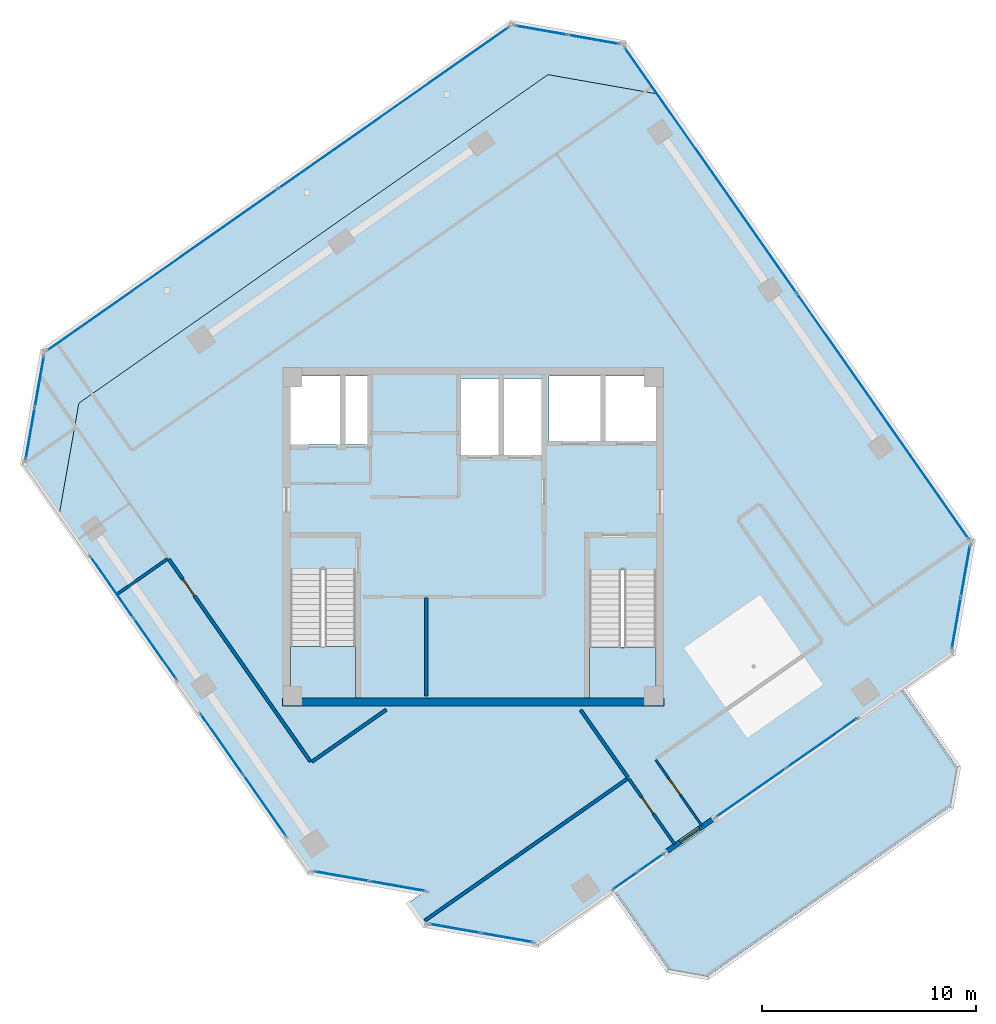
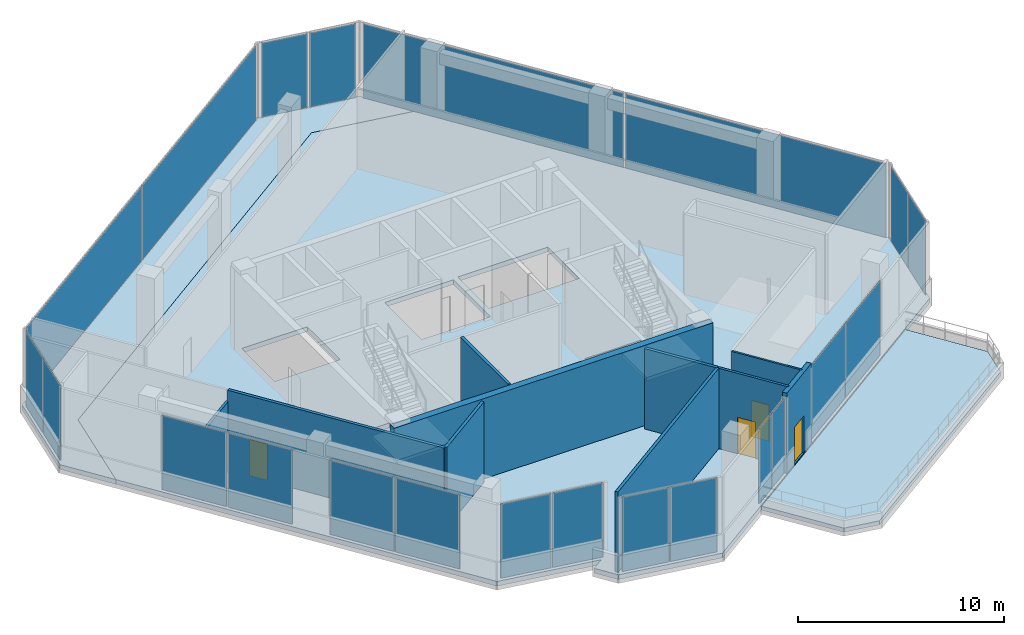
# One storey, part 10 of 16: 22 plates, 10 walls, 5 slabs, 4 doors, 4 openings, 13 elements without a shape of their own.
"""IFC4 building model written with IfcOpenShell, lengths in metres."""

import ifcopenshell
import ifcopenshell.guid

model = None  # the IFC model being written
_history = None  # IfcOwnerHistory: only IFC2X3 demands one
_inside = {}  # id of a spatial element -> (the spatial element, [elements in it])
_under = {}  # id of a project, library or spatial element -> (it, [spatial elements below it])
_declared = {}  # id of a project -> (the project, [libraries it declares])
_typed = {}  # id of a type object -> (the type object, [elements of that type])
_made_of = {}  # id of a material, layer set ... -> (it, [elements and type objects made of it])


def new_model(schema):
    """Start an empty IFC model of exactly this schema.

    Asked for "IFC4X3", IfcOpenShell would pick the latest addendum, in which some entities
    have other attributes; the version numbers below select the first issue.
    IFC2X3 requires an IfcOwnerHistory on every rooted entity: one is made here for all.
    """
    global model, _history
    if schema == "IFC4X3":
        model = ifcopenshell.file(schema_version=(4, 3, 0, 0))
    else:
        model = ifcopenshell.file(schema=schema)
    _inside.clear()
    _under.clear()
    _declared.clear()
    _typed.clear()
    _made_of.clear()
    _history = None
    if model.schema == "IFC2X3":
        org = make("IfcOrganization", Name="unknown")
        user = make(
            "IfcPersonAndOrganization",
            ThePerson=make("IfcPerson", FamilyName="unknown"),
            TheOrganization=org,
        )
        app = make(
            "IfcApplication",
            ApplicationDeveloper=org,
            Version="unknown",
            ApplicationFullName="unknown",
            ApplicationIdentifier="unknown",
        )
        _history = make(
            "IfcOwnerHistory",
            OwningUser=user,
            OwningApplication=app,
            ChangeAction="ADDED",
            CreationDate=0,
        )
    return model


def make(cls, **values):
    """One entity of the class cls with the attributes given. An attribute that is None is left unset."""
    return model.create_entity(
        cls, **{name: value for name, value in values.items() if value is not None}
    )


def rooted(cls, **values):
    """An entity with a GlobalId (a new one), such as an element, a storey or a relation."""
    return make(cls, GlobalId=ifcopenshell.guid.new(), OwnerHistory=_history, **values)


def si_unit(unit_type, name, prefix=None):
    """IfcSIUnit, for example si_unit("LENGTHUNIT", "METRE", prefix="MILLI")."""
    return make("IfcSIUnit", UnitType=unit_type, Prefix=prefix, Name=name)


def assignment(units):
    """IfcUnitAssignment: the units of a project."""
    return None if units is None else make("IfcUnitAssignment", Units=units)


def point(xyz):
    """IfcCartesianPoint."""
    return None if xyz is None else make("IfcCartesianPoint", Coordinates=xyz)


def direction(xyz):
    """IfcDirection."""
    return None if xyz is None else make("IfcDirection", DirectionRatios=xyz)


def frame(location, z_axis=None, x_axis=None):
    """IfcAxis2Placement3D, a coordinate frame: its origin and axes. An axis left out is left unset."""
    return make(
        "IfcAxis2Placement3D",
        Location=point(location),
        Axis=direction(z_axis),
        RefDirection=direction(x_axis),
    )


def frame_2d(location, x_axis=None):
    """IfcAxis2Placement2D, a coordinate frame in the plane: its origin and x axis."""
    return make(
        "IfcAxis2Placement2D", Location=point(location), RefDirection=direction(x_axis)
    )


def origin():
    """The frame at (0, 0, 0) with its axes left unset."""
    return frame((0.0, 0.0, 0.0))


def origin_2d():
    """The frame at (0, 0) in the plane with its x axis left unset."""
    return frame_2d((0.0, 0.0))


def place(relative_to, where):
    """IfcLocalPlacement: puts the frame where relative to a parent placement (None: the world)."""
    return make(
        "IfcLocalPlacement", PlacementRelTo=relative_to, RelativePlacement=where
    )


def context(
    kind, dimensions, precision=None, world=None, true_north=None, identifier=None
):
    """IfcGeometricRepresentationContext, for example the 3D "Model" context."""
    return make(
        "IfcGeometricRepresentationContext",
        ContextIdentifier=identifier,
        ContextType=kind,
        CoordinateSpaceDimension=dimensions,
        Precision=precision,
        WorldCoordinateSystem=world,
        TrueNorth=true_north,
    )


def subcontext(parent, identifier, kind, view, scale=None):
    """IfcGeometricRepresentationSubContext, for example "Body" below "Model"."""
    return make(
        "IfcGeometricRepresentationSubContext",
        ContextIdentifier=identifier,
        ContextType=kind,
        ParentContext=parent,
        TargetScale=scale,
        TargetView=view,
    )


def project(units=None, contexts=None):
    """IfcProject with its units and contexts."""
    return rooted(
        "IfcProject",
        Name="project",
        RepresentationContexts=contexts,
        UnitsInContext=assignment(units),
    )


def spatial(cls, under=None, at=None, **own):
    """A site, building, storey or space (cls), placed at a placement, below another one or the project."""
    s = rooted(cls, ObjectPlacement=at, **own)
    if under is not None:
        _under.setdefault(under.id(), (under, []))[1].append(s)
    return s


def polyline(points):
    """IfcPolyline through the points."""
    return make("IfcPolyline", Points=[point(p) for p in points])


def profile(cls, at=None, kind="AREA", **sizes):
    """A parametric profile (cls). Its sizes go by their IFC names, for example OverallWidth=200.0."""
    return make(cls, ProfileType=kind, Position=at, **sizes)


def rectangle(**sizes):
    """IfcRectangleProfileDef."""
    return profile("IfcRectangleProfileDef", **sizes)


def outline(outer, holes=None, kind="AREA"):
    """IfcArbitraryClosedProfileDef: a profile drawn as a closed curve; with holes, ...WithVoids."""
    if holes is None:
        return make("IfcArbitraryClosedProfileDef", ProfileType=kind, OuterCurve=outer)
    return make(
        "IfcArbitraryProfileDefWithVoids",
        ProfileType=kind,
        OuterCurve=outer,
        InnerCurves=holes,
    )


def extrude(swept, where, along, depth):
    """IfcExtrudedAreaSolid: the profile swept, set in the frame where, extruded along a direction by depth."""
    return make(
        "IfcExtrudedAreaSolid",
        SweptArea=swept,
        Position=where,
        ExtrudedDirection=direction(along),
        Depth=depth,
    )


def shape(context_of_items, identifier, shape_type, items):
    """IfcShapeRepresentation: the items that make up one representation, for example the "Body"."""
    return make(
        "IfcShapeRepresentation",
        ContextOfItems=context_of_items,
        RepresentationIdentifier=identifier,
        RepresentationType=shape_type,
        Items=items,
    )


def source(mapping_origin, context_of_items, identifier, shape_type, items):
    """IfcRepresentationMap: a shape defined once, which mapped items show again and again."""
    return make(
        "IfcRepresentationMap",
        MappingOrigin=mapping_origin,
        MappedRepresentation=shape(context_of_items, identifier, shape_type, items),
    )


def transform(
    local_origin,
    x_axis=None,
    y_axis=None,
    z_axis=None,
    scale=None,
    scale2=None,
    scale3=None,
    uniform=True,
):
    """IfcCartesianTransformationOperator3D, or its non-uniform kind. x_axis, y_axis, z_axis: its Axis1, 2, 3."""
    if uniform:
        return make(
            "IfcCartesianTransformationOperator3D",
            Axis1=direction(x_axis),
            Axis2=direction(y_axis),
            LocalOrigin=point(local_origin),
            Scale=scale,
            Axis3=direction(z_axis),
        )
    return make(
        "IfcCartesianTransformationOperator3DnonUniform",
        Axis1=direction(x_axis),
        Axis2=direction(y_axis),
        LocalOrigin=point(local_origin),
        Scale=scale,
        Axis3=direction(z_axis),
        Scale2=scale2,
        Scale3=scale3,
    )


def mapped(mapping_source, mapping_target):
    """IfcMappedItem: shows the shape of a source again, moved by a transform."""
    return make(
        "IfcMappedItem", MappingSource=mapping_source, MappingTarget=mapping_target
    )


def material(Name=None, Category=None):
    """IfcMaterial."""
    return make("IfcMaterial", Name=Name, Category=Category)


def layer(
    of_material, thickness, ventilated=None, Name=None, Category=None, Priority=None
):
    """IfcMaterialLayer: one layer of a wall or slab, of a material (None: an air gap)."""
    return make(
        "IfcMaterialLayer",
        Material=of_material,
        LayerThickness=thickness,
        IsVentilated=ventilated,
        Name=Name,
        Category=Category,
        Priority=Priority,
    )


def layer_set(layers, Name=None):
    """IfcMaterialLayerSet."""
    return make("IfcMaterialLayerSet", MaterialLayers=layers, LayerSetName=Name)


def made_of(thing, what):
    """Note that an element or type object is made of a material, layer set ...; save() writes the relation."""
    if what is not None:
        _made_of.setdefault(what.id(), (what, []))[1].append(thing)
    return thing


def type_object(cls, material=None, **own):
    """A type object (cls), such as IfcWallType, which elements share."""
    return made_of(rooted(cls, **own), material)


def element(
    cls,
    number,
    at=None,
    inside=None,
    cuts=None,
    type_object=None,
    material=None,
    context=None,
    identifier="Body",
    shape_type=None,
    held_by="IfcProductDefinitionShape",
    body=None,
    shapes=None,
    **own,
):
    """One element of the class cls, such as IfcWall. Its Tag is "e" and its number.

    at: its placement. inside: the storey or other place that contains it. cuts: it is an
    opening in that element (IfcRelVoidsElement). A single representation is given by context,
    identifier, shape_type and body (its items); several are given by shapes. held_by: the class
    of the entity that holds the representations. save() writes the other relations.
    """
    e = rooted(cls, Tag="e%d" % number, ObjectPlacement=at, **own)
    if body is not None:
        shapes = [shape(context, identifier, shape_type, body)]
    if shapes is not None:
        e.Representation = make(held_by, Representations=shapes)
    if inside is not None:
        _inside.setdefault(inside.id(), (inside, []))[1].append(e)
    if cuts is not None:
        rooted(
            "IfcRelVoidsElement", RelatingBuildingElement=cuts, RelatedOpeningElement=e
        )
    if type_object is not None:
        _typed.setdefault(type_object.id(), (type_object, []))[1].append(e)
    return made_of(e, material)


def fill(opening, filler):
    """IfcRelFillsElement: the door or window that sits in an opening."""
    return rooted(
        "IfcRelFillsElement",
        RelatingOpeningElement=opening,
        RelatedBuildingElement=filler,
    )


def aggregate(whole, parts):
    """IfcRelAggregates: a whole, such as a stair, and the parts it consists of."""
    return rooted("IfcRelAggregates", RelatingObject=whole, RelatedObjects=parts)


def save(model, path):
    """Write the relations noted so far, then the file.

    IfcRelAggregates (storeys below a building ...), IfcRelContainedInSpatialStructure (elements
    in a storey), IfcRelDefinesByType, IfcRelAssociatesMaterial and IfcRelDeclares: one each for
    every whole, place, type object, material and project.
    """
    for whole, parts in _under.values():
        aggregate(whole, parts)
    for where, things in _inside.values():
        rooted(
            "IfcRelContainedInSpatialStructure",
            RelatedElements=things,
            RelatingStructure=where,
        )
    for kind, things in _typed.values():
        rooted("IfcRelDefinesByType", RelatedObjects=things, RelatingType=kind)
    for what, things in _made_of.values():
        rooted("IfcRelAssociatesMaterial", RelatedObjects=things, RelatingMaterial=what)
    for by, libraries in _declared.values():
        rooted("IfcRelDeclares", RelatingContext=by, RelatedDefinitions=libraries)
    model.write(path)


model = new_model("IFC4")

# Units and contexts
model_context = context("Model", 3, precision=1e-05, world=origin(), true_north=direction((0.0, 1.0)))
body_context = subcontext(model_context, "Body", "Model", "MODEL_VIEW")
ifc_project = project(units=[si_unit("LENGTHUNIT", "METRE"), si_unit("AREAUNIT", "SQUARE_METRE"), si_unit("VOLUMEUNIT", "CUBIC_METRE"), si_unit("PLANEANGLEUNIT", "RADIAN"), si_unit("MASSUNIT", "GRAM", prefix="KILO")], contexts=[model_context])

# Site, building, storey
site_placement = place(None, origin())
site = spatial("IfcSite", under=ifc_project, at=site_placement, CompositionType="ELEMENT")
building_placement = place(site_placement, origin())
building = spatial("IfcBuilding", under=site, at=building_placement, Name="Torre Montelarca", CompositionType="ELEMENT")
storey_placement = place(building_placement, frame((0.0, 0.0, 293.800048828125)))
storey = spatial("IfcBuildingStorey", under=building, at=storey_placement, Name="L66", CompositionType="ELEMENT", Elevation=293.800048828125)

# Slabs
ifc_material_1 = material(Name="Concrete C40/50", Category="concrete")
ifc_layer_1 = layer(ifc_material_1, 0.280029296875, Name="Concrete C40/50", Category="concrete")
ifc_layer_set_1 = layer_set([ifc_layer_1], Name="Concrete C40/50")
slab_type_1 = type_object("IfcSlabType", Name="SL-FLR-280", PredefinedType="FLOOR", material=ifc_layer_set_1)
slab_1_placement = place(storey_placement, frame((0.0, 0.0, -0.280029296875)))
element("IfcSlab", 1, at=slab_1_placement, inside=storey, type_object=slab_type_1, Name="L66 Structural Floor Slab", PredefinedType="FLOOR", context=body_context, shape_type="SweptSolid", body=[
    extrude(outline(polyline([(10.319580078125, 16.236328125), (15.612060546875, 15.30322265625), (14.956787109375, 14.844482421875), (15.702392578125, 13.779541015625), (20.99462890625, 12.84619140625), (40.490478515625, 26.497314453125), (41.423583984375, 31.789794921875), (26.797607421875, 52.67822265625), (21.505126953125, 53.611328125), (-0.447998046875, 38.239501953125), (-1.38134765625, 32.947021484375), (10.319580078125, 16.236328125)]), holes=[polyline([(26.550048828125, 24.449951171875), (23.43994140625, 24.449951171875), (23.43994140625, 30.429931640625), (26.550048828125, 30.429931640625), (26.550048828125, 24.449951171875)]), polyline([(12.5, 24.449951171875), (9.449951171875, 24.449951171875), (9.449951171875, 30.4599609375), (12.5, 30.4599609375), (12.5, 24.449951171875)]), polyline([(21.25, 39.39990234375), (21.25, 35.800048828125), (17.39990234375, 35.800048828125), (17.39990234375, 39.39990234375), (21.25, 39.39990234375)]), polyline([(13.1201171875, 36.300048828125), (9.449951171875, 36.300048828125), (9.449951171875, 39.5), (13.1201171875, 39.5), (13.1201171875, 36.300048828125)]), polyline([(26.60009765625, 36.449951171875), (21.550048828125, 36.449951171875), (21.550048828125, 39.5), (26.60009765625, 39.5), (26.60009765625, 36.449951171875)])]), origin(), (0.0, 0.0, 1.0), 0.280029296875),
])
slab_2_placement = place(storey_placement, frame((0.0, 0.0, -0.280029296875)))
element("IfcSlab", 2, at=slab_2_placement, inside=storey, type_object=slab_type_1, Name="L66 Sliding Tray Winter Garden Floor Slab W1", PredefinedType="FLOOR", context=body_context, shape_type="SweptSolid", body=[
    extrude(outline(polyline([(-1.38134765625, 32.947021484375), (-0.447998046875, 38.239501953125), (21.505126953125, 53.611328125), (26.797607421875, 52.67822265625), (25.076904296875, 55.135498046875), (19.784423828125, 56.06884765625), (-2.168701171875, 40.697021484375), (-3.10205078125, 35.404541015625), (-1.38134765625, 32.947021484375)])), origin(), (0.0, 0.0, 1.0), 0.280029296875),
])

# Stair, slab
stair_type_1 = type_object("IfcStairType", Name="ST-CORE-ST1", PredefinedType="HALF_TURN_STAIR", material=ifc_material_1)
stair_1_placement = place(storey_placement, origin())
stair_1 = element("IfcStair", 3, at=stair_1_placement, inside=storey, type_object=stair_type_1, Name="L66 Protected Exit Stair ST1", PredefinedType="HALF_TURN_STAIR")
ifc_layer_2 = layer(ifc_material_1, 0.199951171875, Name="Concrete C40/50", Category="concrete")
ifc_layer_set_2 = layer_set([ifc_layer_2], Name="Concrete C40/50")
slab_type_2 = type_object("IfcSlabType", Name="SL-ST-LAND-ST1", PredefinedType="LANDING", material=ifc_layer_set_2)
slab_3_placement = place(storey_placement, frame((0.0, 0.0, 2.300048828125)))
slab_3 = element("IfcSlab", 4, at=slab_3_placement, type_object=slab_type_2, Name="ST1 landing 1", PredefinedType="LANDING", context=body_context, shape_type="SweptSolid", body=[
    extrude(outline(polyline([(9.449951171875, 26.860107421875), (9.449951171875, 24.449951171875), (12.5, 24.449951171875), (12.5, 26.860107421875), (9.449951171875, 26.860107421875)])), origin(), (0.0, 0.0, 1.0), 0.199951171875),
])
aggregate(stair_1, [slab_3])

stair_type_2 = type_object("IfcStairType", Name="ST-CORE-ST2", PredefinedType="HALF_TURN_STAIR", material=ifc_material_1)
stair_2_placement = place(storey_placement, origin())
stair_2 = element("IfcStair", 5, at=stair_2_placement, inside=storey, type_object=stair_type_2, Name="L66 Protected Exit Stair ST2", PredefinedType="HALF_TURN_STAIR")
ifc_layer_3 = layer(ifc_material_1, 0.199951171875, Name="Concrete C40/50", Category="concrete")
ifc_layer_set_3 = layer_set([ifc_layer_3], Name="Concrete C40/50")
slab_type_3 = type_object("IfcSlabType", Name="SL-ST-LAND-ST2", PredefinedType="LANDING", material=ifc_layer_set_3)
slab_4_placement = place(storey_placement, frame((0.0, 0.0, 2.300048828125)))
slab_4 = element("IfcSlab", 6, at=slab_4_placement, type_object=slab_type_3, Name="ST2 landing 1", PredefinedType="LANDING", context=body_context, shape_type="SweptSolid", body=[
    extrude(outline(polyline([(23.43994140625, 26.830078125), (23.43994140625, 24.449951171875), (26.550048828125, 24.449951171875), (26.550048828125, 26.830078125), (23.43994140625, 26.830078125)])), origin(), (0.0, 0.0, 1.0), 0.199951171875),
])
aggregate(stair_2, [slab_4])

# Slab
ifc_material_2 = material(Name="Architectural concrete C40/50", Category="concrete")
ifc_layer_4 = layer(ifc_material_2, 0.239990234375, Name="Architectural concrete C40/50", Category="concrete")
ifc_layer_set_4 = layer_set([ifc_layer_4], Name="Architectural concrete C40/50")
slab_type_4 = type_object("IfcSlabType", Name="SL-TER-250", PredefinedType="FLOOR", material=ifc_layer_set_4)
slab_5_placement = place(storey_placement, frame((0.0, 0.0, -0.239990234375)))
element("IfcSlab", 7, at=slab_5_placement, inside=storey, type_object=slab_type_4, Name="L66 Outdoor Setback Sky Terrace 01", PredefinedType="FLOOR", context=body_context, shape_type="SweptSolid", body=[
    extrude(outline(polyline([(24.6220703125, 15.33740234375), (27.1513671875, 11.724853515625), (28.9619140625, 11.405517578125), (40.34814453125, 19.37841796875), (40.66748046875, 21.188720703125), (38.137939453125, 24.80126953125), (24.6220703125, 15.33740234375)])), origin(), (0.0, 0.0, 1.0), 0.239990234375),
])

# Curtain wall, plates
ifc_material_3 = material(Name="Insulated low-E laminated glass", Category="glass")
curtain_wall_type = type_object("IfcCurtainWallType", Name="CW-SYS-Z4", PredefinedType="USERDEFINED", material=ifc_material_3)
curtain_wall_1_placement = place(storey_placement, origin())
curtain_wall_1 = element("IfcCurtainWall", 8, at=curtain_wall_1_placement, inside=storey, type_object=curtain_wall_type, Name="L66 Curtain Wall Run CW-T3-L66-E01-B1", ObjectType="UNITISED GLAZING", PredefinedType="USERDEFINED")
ifc_layer_5 = layer(ifc_material_3, 0.035888671875, Name="Insulated low-E laminated glass", Category="glass")
ifc_layer_set_5 = layer_set([ifc_layer_5], Name="Insulated low-E laminated glass")
plate_type = type_object("IfcPlateType", Name="CWP-GLZ-36", PredefinedType="CURTAIN_PANEL", material=ifc_layer_set_5)
shared_shape_1 = source(origin(), body_context, "Body", "SweptSolid", [
    extrude(rectangle(XDim=3.45751953125, YDim=0.035888671875, at=origin_2d()), origin(), (0.0, 0.0, 1.0), 4.389892578125),
])
plate_1_placement = place(storey_placement, frame((1.09619140625, 29.635498046875, 0.06494140625), z_axis=(0.0, 0.0, 1.0), x_axis=(0.573569496058, -0.819156903891, 0.0)))
plate_1 = element("IfcPlate", 9, at=plate_1_placement, type_object=plate_type, Name="CW panel 1.1", PredefinedType="CURTAIN_PANEL", context=body_context, shape_type="MappedRepresentation", body=[
    mapped(shared_shape_1, transform((0.0, 0.0, 0.0), scale=1.0)),
])
plate_2_placement = place(storey_placement, frame((3.122314453125, 26.741943359375, 0.06494140625), z_axis=(0.0, 0.0, 1.0), x_axis=(0.573569496058, -0.819156903891, 0.0)))
plate_2 = element("IfcPlate", 10, at=plate_2_placement, type_object=plate_type, Name="CW panel 2.1", PredefinedType="CURTAIN_PANEL", context=body_context, shape_type="MappedRepresentation", body=[
    mapped(shared_shape_1, transform((0.0, 0.0, 0.0), scale=1.0)),
])
aggregate(curtain_wall_1, [plate_1, plate_2])

curtain_wall_2_placement = place(storey_placement, origin())
curtain_wall_2 = element("IfcCurtainWall", 11, at=curtain_wall_2_placement, inside=storey, type_object=curtain_wall_type, Name="L66 Curtain Wall Run CW-T3-L66-E01-B2", ObjectType="UNITISED GLAZING", PredefinedType="USERDEFINED")
shared_shape_2 = source(origin(), body_context, "Body", "SweptSolid", [
    extrude(rectangle(XDim=3.432373046875, YDim=0.035888671875, at=origin_2d()), origin(), (0.0, 0.0, 1.0), 4.389892578125),
])
plate_3_placement = place(storey_placement, frame((6.251220703125, 22.2734375, 0.06494140625), z_axis=(0.0, 0.0, 1.0), x_axis=(0.573570252382, -0.819156374316, 0.0)))
plate_3 = element("IfcPlate", 12, at=plate_3_placement, type_object=plate_type, Name="CW panel 1.1", PredefinedType="CURTAIN_PANEL", context=body_context, shape_type="MappedRepresentation", body=[
    mapped(shared_shape_2, transform((0.0, 0.0, 0.0), scale=1.0)),
])
plate_4_placement = place(storey_placement, frame((8.26318359375, 19.400146484375, 0.06494140625), z_axis=(0.0, 0.0, 1.0), x_axis=(0.573570252382, -0.819156374316, 0.0)))
plate_4 = element("IfcPlate", 13, at=plate_4_placement, type_object=plate_type, Name="CW panel 2.1", PredefinedType="CURTAIN_PANEL", context=body_context, shape_type="MappedRepresentation", body=[
    mapped(shared_shape_2, transform((0.0, 0.0, 0.0), scale=1.0)),
])
aggregate(curtain_wall_2, [plate_3, plate_4])

curtain_wall_3_placement = place(storey_placement, origin())
curtain_wall_3 = element("IfcCurtainWall", 14, at=curtain_wall_3_placement, inside=storey, type_object=curtain_wall_type, Name="L66 Curtain Wall Run CW-T3-L66-E02-B1", ObjectType="UNITISED GLAZING", PredefinedType="USERDEFINED")
shared_shape_3 = source(origin(), body_context, "Body", "SweptSolid", [
    extrude(rectangle(XDim=2.592529296875, YDim=0.035888671875, at=origin_2d()), origin(), (0.0, 0.0, 1.0), 4.389892578125),
])
plate_5_placement = place(storey_placement, frame((11.85595703125, 16.097412109375, 0.06494140625), z_axis=(0.0, 0.0, 1.0), x_axis=(0.9848088558, -0.17364192333, 0.0)))
plate_5 = element("IfcPlate", 15, at=plate_5_placement, type_object=plate_type, Name="CW panel 1.1", PredefinedType="CURTAIN_PANEL", context=body_context, shape_type="MappedRepresentation", body=[
    mapped(shared_shape_3, transform((0.0, 0.0, 0.0), scale=1.0)),
])
plate_6_placement = place(storey_placement, frame((14.48291015625, 15.63427734375, 0.06494140625), z_axis=(0.0, 0.0, 1.0), x_axis=(0.9848088558, -0.17364192333, 0.0)))
plate_6 = element("IfcPlate", 16, at=plate_6_placement, type_object=plate_type, Name="CW panel 2.1", PredefinedType="CURTAIN_PANEL", context=body_context, shape_type="MappedRepresentation", body=[
    mapped(shared_shape_3, transform((0.0, 0.0, 0.0), scale=1.0)),
])
aggregate(curtain_wall_3, [plate_5, plate_6])

curtain_wall_4_placement = place(storey_placement, origin())
curtain_wall_4 = element("IfcCurtainWall", 17, at=curtain_wall_4_placement, inside=storey, type_object=curtain_wall_type, Name="L66 Curtain Wall Run CW-T3-L66-E05-B1", ObjectType="UNITISED GLAZING", PredefinedType="USERDEFINED")
shared_shape_4 = source(origin(), body_context, "Body", "SweptSolid", [
    extrude(rectangle(XDim=2.40869140625, YDim=0.035888671875, at=origin_2d()), origin(), (0.0, 0.0, 1.0), 4.389892578125),
])
plate_7_placement = place(storey_placement, frame((17.148193359375, 13.656494140625, 0.06494140625), z_axis=(0.0, 0.0, 1.0), x_axis=(0.984810101776, -0.173634856638, 0.0)))
plate_7 = element("IfcPlate", 18, at=plate_7_placement, type_object=plate_type, Name="CW panel 1.1", PredefinedType="CURTAIN_PANEL", context=body_context, shape_type="MappedRepresentation", body=[
    mapped(shared_shape_4, transform((0.0, 0.0, 0.0), scale=1.0)),
])
plate_8_placement = place(storey_placement, frame((19.593994140625, 13.225341796875, 0.06494140625), z_axis=(0.0, 0.0, 1.0), x_axis=(0.984810101776, -0.173634856638, 0.0)))
plate_8 = element("IfcPlate", 19, at=plate_8_placement, type_object=plate_type, Name="CW panel 2.1", PredefinedType="CURTAIN_PANEL", context=body_context, shape_type="MappedRepresentation", body=[
    mapped(shared_shape_4, transform((0.0, 0.0, 0.0), scale=1.0)),
])
aggregate(curtain_wall_4, [plate_7, plate_8])

curtain_wall_5_placement = place(storey_placement, origin())
curtain_wall_5 = element("IfcCurtainWall", 20, at=curtain_wall_5_placement, inside=storey, type_object=curtain_wall_type, Name="L66 Curtain Wall Run CW-T3-L66-E07-B1", ObjectType="UNITISED GLAZING", PredefinedType="USERDEFINED")
plate_9_placement = place(storey_placement, frame((40.613525390625, 27.943115234375, 0.06494140625), z_axis=(0.0, 0.0, 1.0), x_axis=(0.173612230899, 0.984814090721, 0.0)))
plate_9 = element("IfcPlate", 21, at=plate_9_placement, type_object=plate_type, Name="CW panel 1.1", PredefinedType="CURTAIN_PANEL", context=body_context, shape_type="MappedRepresentation", body=[
    mapped(shared_shape_4, transform((0.0, 0.0, 0.0), scale=1.0)),
])
plate_10_placement = place(storey_placement, frame((41.044677734375, 30.38916015625, 0.06494140625), z_axis=(0.0, 0.0, 1.0), x_axis=(0.173612230899, 0.984814090721, 0.0)))
plate_10 = element("IfcPlate", 22, at=plate_10_placement, type_object=plate_type, Name="CW panel 2.1", PredefinedType="CURTAIN_PANEL", context=body_context, shape_type="MappedRepresentation", body=[
    mapped(shared_shape_4, transform((0.0, 0.0, 0.0), scale=1.0)),
])
aggregate(curtain_wall_5, [plate_9, plate_10])

curtain_wall_6_placement = place(storey_placement, origin())
curtain_wall_6 = element("IfcCurtainWall", 23, at=curtain_wall_6_placement, inside=storey, type_object=curtain_wall_type, Name="L66 Curtain Wall Run CW-T3-L66-E09-B1", ObjectType="UNITISED GLAZING", PredefinedType="USERDEFINED")
plate_11_placement = place(storey_placement, frame((23.631103515625, 55.258544921875, 0.06494140625), z_axis=(0.0, 0.0, 1.0), x_axis=(-0.984810101776, 0.173634856638, 0.0)))
plate_11 = element("IfcPlate", 24, at=plate_11_placement, type_object=plate_type, Name="CW panel 1.1", PredefinedType="CURTAIN_PANEL", context=body_context, shape_type="MappedRepresentation", body=[
    mapped(shared_shape_4, transform((0.0, 0.0, 0.0), scale=1.0)),
])
plate_12_placement = place(storey_placement, frame((21.18505859375, 55.689697265625, 0.06494140625), z_axis=(0.0, 0.0, 1.0), x_axis=(-0.984810101776, 0.173634856638, 0.0)))
plate_12 = element("IfcPlate", 25, at=plate_12_placement, type_object=plate_type, Name="CW panel 2.1", PredefinedType="CURTAIN_PANEL", context=body_context, shape_type="MappedRepresentation", body=[
    mapped(shared_shape_4, transform((0.0, 0.0, 0.0), scale=1.0)),
])
aggregate(curtain_wall_6, [plate_11, plate_12])

curtain_wall_7_placement = place(storey_placement, origin())
curtain_wall_7 = element("IfcCurtainWall", 26, at=curtain_wall_7_placement, inside=storey, type_object=curtain_wall_type, Name="L66 Curtain Wall Run CW-T3-L66-E11-B1", ObjectType="UNITISED GLAZING", PredefinedType="USERDEFINED")
plate_13_placement = place(storey_placement, frame((-2.291748046875, 39.251220703125, 0.06494140625), z_axis=(0.0, 0.0, 1.0), x_axis=(-0.173634856638, -0.984810101776, 0.0)))
plate_13 = element("IfcPlate", 27, at=plate_13_placement, type_object=plate_type, Name="CW panel 1.1", PredefinedType="CURTAIN_PANEL", context=body_context, shape_type="MappedRepresentation", body=[
    mapped(shared_shape_4, transform((0.0, 0.0, 0.0), scale=1.0)),
])
plate_14_placement = place(storey_placement, frame((-2.722900390625, 36.80517578125, 0.06494140625), z_axis=(0.0, 0.0, 1.0), x_axis=(-0.173634856638, -0.984810101776, 0.0)))
plate_14 = element("IfcPlate", 28, at=plate_14_placement, type_object=plate_type, Name="CW panel 2.1", PredefinedType="CURTAIN_PANEL", context=body_context, shape_type="MappedRepresentation", body=[
    mapped(shared_shape_4, transform((0.0, 0.0, 0.0), scale=1.0)),
])
aggregate(curtain_wall_7, [plate_13, plate_14])

curtain_wall_8_placement = place(storey_placement, origin())
curtain_wall_8 = element("IfcCurtainWall", 29, at=curtain_wall_8_placement, inside=storey, type_object=curtain_wall_type, Name="L66 Curtain Wall Run CW-T3-L66-E06-B1", ObjectType="UNITISED GLAZING", PredefinedType="USERDEFINED")
shared_shape_5 = source(origin(), body_context, "Body", "SweptSolid", [
    extrude(rectangle(XDim=1.390380859375, YDim=0.035888671875, at=origin_2d()), origin(), (0.0, 0.0, 1.0), 4.389892578125),
])
plate_15_placement = place(storey_placement, frame((25.138916015625, 15.90673828125, 0.06494140625), z_axis=(0.0, 0.0, 1.0), x_axis=(0.819160016378, 0.573565050859, 0.0)))
plate_15 = element("IfcPlate", 30, at=plate_15_placement, type_object=plate_type, Name="CW panel 1.1", PredefinedType="CURTAIN_PANEL", context=body_context, shape_type="MappedRepresentation", body=[
    mapped(shared_shape_5, transform((0.0, 0.0, 0.0), scale=1.0)),
])
plate_16_placement = place(storey_placement, frame((26.33935546875, 16.747314453125, 0.06494140625), z_axis=(0.0, 0.0, 1.0), x_axis=(0.819160016378, 0.573565050859, 0.0)))
plate_16 = element("IfcPlate", 31, at=plate_16_placement, type_object=plate_type, Name="CW panel 2.1", PredefinedType="CURTAIN_PANEL", context=body_context, shape_type="MappedRepresentation", body=[
    mapped(shared_shape_5, transform((0.0, 0.0, 0.0), scale=1.0)),
])
aggregate(curtain_wall_8, [plate_15, plate_16])

curtain_wall_9_placement = place(storey_placement, origin())
curtain_wall_9 = element("IfcCurtainWall", 32, at=curtain_wall_9_placement, inside=storey, type_object=curtain_wall_type, Name="L66 Curtain Wall Run CW-T3-L66-E06-B2", ObjectType="UNITISED GLAZING", PredefinedType="USERDEFINED")
shared_shape_6 = source(origin(), body_context, "Body", "SweptSolid", [
    extrude(rectangle(XDim=3.974609375, YDim=0.035888671875, at=origin_2d()), origin(), (0.0, 0.0, 1.0), 4.389892578125),
])
plate_17_placement = place(storey_placement, frame((31.00244140625, 20.012451171875, 0.06494140625), z_axis=(0.0, 0.0, 1.0), x_axis=(0.819157198715, 0.573569074997, 0.0)))
plate_17 = element("IfcPlate", 33, at=plate_17_placement, type_object=plate_type, Name="CW panel 1.1", PredefinedType="CURTAIN_PANEL", context=body_context, shape_type="MappedRepresentation", body=[
    mapped(shared_shape_6, transform((0.0, 0.0, 0.0), scale=1.0)),
])
plate_18_placement = place(storey_placement, frame((34.319580078125, 22.335205078125, 0.06494140625), z_axis=(0.0, 0.0, 1.0), x_axis=(0.819157198715, 0.573569074997, 0.0)))
plate_18 = element("IfcPlate", 34, at=plate_18_placement, type_object=plate_type, Name="CW panel 2.1", PredefinedType="CURTAIN_PANEL", context=body_context, shape_type="MappedRepresentation", body=[
    mapped(shared_shape_6, transform((0.0, 0.0, 0.0), scale=1.0)),
])
aggregate(curtain_wall_9, [plate_17, plate_18])

curtain_wall_10_placement = place(storey_placement, origin())
curtain_wall_10 = element("IfcCurtainWall", 35, at=curtain_wall_10_placement, inside=storey, type_object=curtain_wall_type, Name="L66 Curtain Wall Run CW-T3-L66-E08-B1", ObjectType="UNITISED GLAZING", PredefinedType="USERDEFINED")
shared_shape_7 = source(origin(), body_context, "Body", "SweptSolid", [
    extrude(rectangle(XDim=13.9716796875, YDim=0.035888671875, at=origin_2d()), origin(), (0.0, 0.0, 1.0), 4.389892578125),
])
plate_19_placement = place(storey_placement, frame((37.172119140625, 37.635009765625, 0.06494140625), z_axis=(0.0, 0.0, 1.0), x_axis=(-0.573570986503, 0.819155860287, 0.0)))
plate_19 = element("IfcPlate", 36, at=plate_19_placement, type_object=plate_type, Name="CW panel 1.1", PredefinedType="CURTAIN_PANEL", context=body_context, shape_type="MappedRepresentation", body=[
    mapped(shared_shape_7, transform((0.0, 0.0, 0.0), scale=1.0)),
])
plate_20_placement = place(storey_placement, frame((29.115478515625, 49.141357421875, 0.06494140625), z_axis=(0.0, 0.0, 1.0), x_axis=(-0.573570986503, 0.819155860287, 0.0)))
plate_20 = element("IfcPlate", 37, at=plate_20_placement, type_object=plate_type, Name="CW panel 2.1", PredefinedType="CURTAIN_PANEL", context=body_context, shape_type="MappedRepresentation", body=[
    mapped(shared_shape_7, transform((0.0, 0.0, 0.0), scale=1.0)),
])
aggregate(curtain_wall_10, [plate_19, plate_20])

curtain_wall_11_placement = place(storey_placement, origin())
curtain_wall_11 = element("IfcCurtainWall", 38, at=curtain_wall_11_placement, inside=storey, type_object=curtain_wall_type, Name="L66 Curtain Wall Run CW-T3-L66-E10-B1", ObjectType="UNITISED GLAZING", PredefinedType="USERDEFINED")
shared_shape_8 = source(origin(), body_context, "Body", "SweptSolid", [
    extrude(rectangle(XDim=13.12158203125, YDim=0.035888671875, at=origin_2d()), origin(), (0.0, 0.0, 1.0), 4.389892578125),
])
plate_21_placement = place(storey_placement, frame((14.28759765625, 52.06103515625, 0.06494140625), z_axis=(0.0, 0.0, 1.0), x_axis=(-0.819155413128, -0.57357162512, 0.0)))
plate_21 = element("IfcPlate", 39, at=plate_21_placement, type_object=plate_type, Name="CW panel 1.1", PredefinedType="CURTAIN_PANEL", context=body_context, shape_type="MappedRepresentation", body=[
    mapped(shared_shape_8, transform((0.0, 0.0, 0.0), scale=1.0)),
])
plate_22_placement = place(storey_placement, frame((3.477294921875, 44.49169921875, 0.06494140625), z_axis=(0.0, 0.0, 1.0), x_axis=(-0.819155413128, -0.57357162512, 0.0)))
plate_22 = element("IfcPlate", 40, at=plate_22_placement, type_object=plate_type, Name="CW panel 2.1", PredefinedType="CURTAIN_PANEL", context=body_context, shape_type="MappedRepresentation", body=[
    mapped(shared_shape_8, transform((0.0, 0.0, 0.0), scale=1.0)),
])
aggregate(curtain_wall_11, [plate_21, plate_22])

# Wall
ifc_layer_6 = layer(ifc_material_1, 0.3798828125, Name="Concrete C40/50", Category="concrete")
ifc_layer_set_6 = layer_set([ifc_layer_6], Name="Concrete C40/50")
wall_type_1 = type_object("IfcWallType", Name="CW-SHEAR-380", PredefinedType="SHEAR", material=ifc_layer_set_6)
wall_1_placement = place(storey_placement, frame((9.070068359375, 24.260009765625, 0.0), z_axis=(0.0, 0.0, 1.0), x_axis=(1.0, 0.0, 0.0)))
element("IfcWall", 41, at=wall_1_placement, inside=storey, type_object=wall_type_1, Name="L66 Core Shear Wall CW-S1", PredefinedType="SHEAR", context=body_context, shape_type="SweptSolid", body=[
    extrude(rectangle(XDim=17.85986328125, YDim=0.3798828125, at=frame_2d((8.929931640625, 0.0))), origin(), (0.0, 0.0, 1.0), 4.760009765625),
])

# Wall, opening, door
ifc_material_4 = material(Name="Precast concrete C45/55", Category="concrete")
ifc_layer_7 = layer(ifc_material_4, 0.25, Name="Precast concrete C45/55", Category="concrete")
ifc_layer_set_7 = layer_set([ifc_layer_7], Name="Precast concrete C45/55")
wall_type_2 = type_object("IfcWallType", Name="EW-CONC-250", PredefinedType="SOLIDWALL", material=ifc_layer_set_7)
wall_2_placement = place(storey_placement, frame((26.994873046875, 17.206298828125, 0.0), z_axis=(0.0, 0.0, 1.0), x_axis=(0.819141785879, 0.573591086599, 0.0)))
wall_2 = element("IfcWall", 42, at=wall_2_placement, inside=storey, type_object=wall_type_2, Name="L66 Terrace Portal Wall Pier E06", PredefinedType="SOLIDWALL", context=body_context, shape_type="SweptSolid", body=[
    extrude(rectangle(XDim=2.7998046875, YDim=0.25, at=frame_2d((1.39990234375, 0.0))), origin(), (0.0, 0.0, 1.0), 4.760009765625),
])
opening_1_placement = place(wall_2_placement, frame((0.85009765625, 0.0, 0.0)))
opening_1 = element("IfcOpeningElement", 43, at=opening_1_placement, cuts=wall_2, Name="Opening ED-03", PredefinedType="OPENING", context=body_context, shape_type="SweptSolid", body=[
    extrude(rectangle(XDim=1.10009765625, YDim=2.199951171875, at=frame_2d((0.550048828125, 1.10009765625))), frame((0.0, 0.135009765625, 0.0), z_axis=(0.0, -1.0, 0.0), x_axis=(1.0, 0.0, 0.0)), (0.0, 0.0, 1.0), 0.27001953125),
])
ifc_material_5 = material(Name="Powder-coated galvanized steel and safety glass", Category="steel")
door_type_1 = type_object("IfcDoorType", Name="DR-EXT-TER", OperationType="NOTDEFINED", PredefinedType="DOOR", material=ifc_material_5)
shared_shape_9 = source(origin(), body_context, "Body", "SweptSolid", [
    extrude(rectangle(XDim=1.10009765625, YDim=2.199951171875, at=frame_2d((0.550048828125, 1.10009765625))), frame((0.0, 0.02490234375, 0.0), z_axis=(0.0, -1.0, 0.0), x_axis=(1.0, 0.0, 0.0)), (0.0, 0.0, 1.0), 0.050048828125),
])
door_1_placement = place(opening_1_placement, origin())
door_1 = element("IfcDoor", 44, at=door_1_placement, inside=storey, type_object=door_type_1, Name="L66 Sky Terrace Access Door", OperationType="SINGLE_SWING_LEFT", OverallHeight=2.199951171875, OverallWidth=1.10009765625, PredefinedType="DOOR", context=body_context, shape_type="MappedRepresentation", body=[
    mapped(shared_shape_9, transform((0.0, 0.0, 0.0), scale=1.0)),
])
fill(opening_1, door_1)

# Wall
ifc_material_6 = material(Name="Gypsum plasterboard on steel stud", Category="steel")
ifc_layer_8 = layer(ifc_material_6, 0.159912109375, Name="Gypsum plasterboard on steel stud", Category="steel")
ifc_layer_set_8 = layer_set([ifc_layer_8], Name="Gypsum plasterboard on steel stud")
wall_type_3 = type_object("IfcWallType", Name="PW-FIRE-160", PredefinedType="PARTITIONING", material=ifc_layer_set_8)
wall_3_placement = place(storey_placement, frame((15.800048828125, 24.5400390625, 0.0), z_axis=(0.0, 0.0, 1.0), x_axis=(0.0, 1.0, 0.0)))
element("IfcWall", 45, at=wall_3_placement, inside=storey, type_object=wall_type_3, Name="L66 Interior Partition CW-L66-FRD1", PredefinedType="PARTITIONING", context=body_context, shape_type="SweptSolid", body=[
    extrude(rectangle(XDim=4.599853515625, YDim=0.159912109375, at=frame_2d((2.2998046875, 0.0))), origin(), (0.0, 0.0, 1.0), 4.760009765625),
])

# Wall, opening, door
wall_4_placement = place(storey_placement, frame((3.758056640625, 30.9423828125, 0.0), z_axis=(0.0, 0.0, 1.0), x_axis=(0.573575634469, -0.819152605772, 0.0)))
wall_4 = element("IfcWall", 46, at=wall_4_placement, inside=storey, type_object=wall_type_3, Name="L66 Interior Partition W-L66-SOCCN", PredefinedType="PARTITIONING", context=body_context, shape_type="SweptSolid", body=[
    extrude(rectangle(XDim=11.56982421875, YDim=0.159912109375, at=frame_2d((5.784912109375, 0.0))), origin(), (0.0, 0.0, 1.0), 4.760009765625),
])
opening_2_placement = place(wall_4_placement, frame((1.14990234375, 0.0, 0.0)))
opening_2 = element("IfcOpeningElement", 47, at=opening_2_placement, cuts=wall_4, Name="Opening FD-095", PredefinedType="OPENING", context=body_context, shape_type="SweptSolid", body=[
    extrude(rectangle(XDim=0.949951171875, YDim=2.14990234375, at=frame_2d((0.47509765625, 1.074951171875))), frame((0.0, 0.08984375, 0.0), z_axis=(0.0, -1.0, 0.0), x_axis=(1.0, 0.0, 0.0)), (0.0, 0.0, 1.0), 0.179931640625),
])
ifc_material_7 = material(Name="Timber fire-rated room door", Category="wood")
door_type_2 = type_object("IfcDoorType", Name="DR-FIRE-095", OperationType="NOTDEFINED", PredefinedType="DOOR", material=ifc_material_7)
shared_shape_10 = source(origin(), body_context, "Body", "SweptSolid", [
    extrude(rectangle(XDim=0.949951171875, YDim=2.14990234375, at=frame_2d((0.47509765625, 1.074951171875))), frame((0.0, 0.02490234375, 0.0), z_axis=(0.0, -1.0, 0.0), x_axis=(1.0, 0.0, 0.0)), (0.0, 0.0, 1.0), 0.050048828125),
])
door_2_placement = place(opening_2_placement, origin())
door_2 = element("IfcDoor", 48, at=door_2_placement, inside=storey, type_object=door_type_2, Name="L66 Interior Door 08", OperationType="SINGLE_SWING_RIGHT", OverallHeight=2.14990234375, OverallWidth=0.949951171875, PredefinedType="DOOR", context=body_context, shape_type="MappedRepresentation", body=[
    mapped(shared_shape_10, transform((0.0, 0.0, 0.0), scale=1.0)),
])
fill(opening_2, door_2)

# Walls
wall_5_placement = place(storey_placement, frame((10.4501953125, 21.454833984375, 0.0), z_axis=(0.0, 0.0, 1.0), x_axis=(0.819110678768, 0.573635507903, 0.0)))
element("IfcWall", 49, at=wall_5_placement, inside=storey, type_object=wall_type_3, Name="L66 Interior Partition W-L66-SOCCW3", PredefinedType="PARTITIONING", context=body_context, shape_type="SweptSolid", body=[
    extrude(rectangle(XDim=4.2578125, YDim=0.159912109375, at=frame_2d((2.12890625, 0.0))), origin(), (0.0, 0.0, 1.0), 4.760009765625),
])
wall_6_placement = place(storey_placement, frame((23.02978515625, 23.88720703125, 0.0), z_axis=(0.0, 0.0, 1.0), x_axis=(0.573602525203, -0.819133776059, 0.0)))
element("IfcWall", 50, at=wall_6_placement, inside=storey, type_object=wall_type_3, Name="L66 Interior Partition W-L66-SOCCN3", PredefinedType="PARTITIONING", context=body_context, shape_type="SweptSolid", body=[
    extrude(rectangle(XDim=3.85693359375, YDim=0.159912109375, at=frame_2d((1.928466796875, 0.0))), origin(), (0.0, 0.0, 1.0), 4.760009765625),
])
wall_7_placement = place(storey_placement, frame((15.74658203125, 14.030029296875, 0.0), z_axis=(0.0, 0.0, 1.0), x_axis=(0.819150694041, 0.573578364701, 0.0)))
element("IfcWall", 51, at=wall_7_placement, inside=storey, type_object=wall_type_3, Name="L66 Interior Partition W-L66-ECS", PredefinedType="PARTITIONING", context=body_context, shape_type="SweptSolid", body=[
    extrude(rectangle(XDim=11.580078125, YDim=0.159912109375, at=frame_2d((5.7900390625, 0.0))), origin(), (0.0, 0.0, 1.0), 4.760009765625),
])

# Wall, opening, door
ifc_material_8 = material(Name="Acoustic laminated glass partition", Category="glass")
ifc_layer_9 = layer(ifc_material_8, 0.10009765625, Name="Acoustic laminated glass partition", Category="glass")
ifc_layer_set_9 = layer_set([ifc_layer_9], Name="Acoustic laminated glass partition")
wall_type_4 = type_object("IfcWallType", Name="PW-GLAZ-100", PredefinedType="PARTITIONING", material=ifc_layer_set_9)
wall_8_placement = place(storey_placement, frame((26.549560546875, 21.545654296875, 0.0), z_axis=(0.0, 0.0, 1.0), x_axis=(0.573614860738, -0.8191251379, 0.0)))
wall_8 = element("IfcWall", 52, at=wall_8_placement, inside=storey, type_object=wall_type_4, Name="L66 Interior Partition W-L66-NE-S", PredefinedType="PARTITIONING", context=body_context, shape_type="SweptSolid", body=[
    extrude(rectangle(XDim=3.760009765625, YDim=0.10009765625, at=frame_2d((1.8798828125, 0.0))), origin(), (0.0, 0.0, 1.0), 4.760009765625),
])
opening_3_placement = place(wall_8_placement, frame((1.050048828125, 0.0, 0.0)))
opening_3 = element("IfcOpeningElement", 53, at=opening_3_placement, cuts=wall_8, Name="Opening ID-095", PredefinedType="OPENING", context=body_context, shape_type="SweptSolid", body=[
    extrude(rectangle(XDim=0.949951171875, YDim=2.14990234375, at=frame_2d((0.47509765625, 1.074951171875))), frame((0.0, 0.06005859375, 0.0), z_axis=(0.0, -1.0, 0.0), x_axis=(1.0, 0.0, 0.0)), (0.0, 0.0, 1.0), 0.1201171875),
])
ifc_material_9 = material(Name="Hardwood acoustic timber veneer", Category="wood")
door_type_3 = type_object("IfcDoorType", Name="DR-INT-095", OperationType="NOTDEFINED", PredefinedType="DOOR", material=ifc_material_9)
shared_shape_11 = source(origin(), body_context, "Body", "SweptSolid", [
    extrude(rectangle(XDim=0.949951171875, YDim=2.14990234375, at=frame_2d((0.47509765625, 1.074951171875))), frame((0.0, 0.02490234375, 0.0), z_axis=(0.0, -1.0, 0.0), x_axis=(1.0, 0.0, 0.0)), (0.0, 0.0, 1.0), 0.050048828125),
])
door_3_placement = place(opening_3_placement, origin())
door_3 = element("IfcDoor", 54, at=door_3_placement, inside=storey, type_object=door_type_3, Name="L66 Interior Door 11", OperationType="SINGLE_SWING_LEFT", OverallHeight=2.14990234375, OverallWidth=0.949951171875, PredefinedType="DOOR", context=body_context, shape_type="MappedRepresentation", body=[
    mapped(shared_shape_11, transform((0.0, 0.0, 0.0), scale=1.0)),
])
fill(opening_3, door_3)

# Wall
ifc_layer_10 = layer(ifc_material_6, 0.135009765625, Name="Gypsum plasterboard on steel stud", Category="steel")
ifc_layer_set_10 = layer_set([ifc_layer_10], Name="Gypsum plasterboard on steel stud")
wall_type_5 = type_object("IfcWallType", Name="PW-PART-135", PredefinedType="PARTITIONING", material=ifc_layer_set_10)
wall_9_placement = place(storey_placement, frame((1.3759765625, 29.3232421875, 0.0), z_axis=(0.0, 0.0, 1.0), x_axis=(0.819163257805, 0.573560421458, 0.0)))
element("IfcWall", 55, at=wall_9_placement, inside=storey, type_object=wall_type_5, Name="L66 Interior Partition W-L66-SWCDIV", PredefinedType="PARTITIONING", context=body_context, shape_type="SweptSolid", body=[
    extrude(rectangle(XDim=2.840087890625, YDim=0.135009765625, at=frame_2d((1.419921875, 0.0))), origin(), (0.0, 0.0, 1.0), 4.094970703125),
])

# Wall, opening, door
wall_10_placement = place(storey_placement, frame((25.2880859375, 20.662353515625, 0.0), z_axis=(0.0, 0.0, 1.0), x_axis=(0.573614860738, -0.8191251379, 0.0)))
wall_10 = element("IfcWall", 56, at=wall_10_placement, inside=storey, type_object=wall_type_5, Name="L66 Interior Partition W-L66-SE-N", PredefinedType="PARTITIONING", context=body_context, shape_type="SweptSolid", body=[
    extrude(rectangle(XDim=3.760009765625, YDim=0.135009765625, at=frame_2d((1.8798828125, 0.0))), origin(), (0.0, 0.0, 1.0), 4.760009765625),
])
opening_4_placement = place(wall_10_placement, frame((1.050048828125, 0.0, 0.0)))
opening_4 = element("IfcOpeningElement", 57, at=opening_4_placement, cuts=wall_10, Name="Opening ID-095", PredefinedType="OPENING", context=body_context, shape_type="SweptSolid", body=[
    extrude(rectangle(XDim=0.949951171875, YDim=2.14990234375, at=frame_2d((0.47509765625, 1.074951171875))), frame((0.0, 0.07763671875, 0.0), z_axis=(0.0, -1.0, 0.0), x_axis=(1.0, 0.0, 0.0)), (0.0, 0.0, 1.0), 0.155029296875),
])
door_4_placement = place(opening_4_placement, origin())
door_4 = element("IfcDoor", 58, at=door_4_placement, inside=storey, type_object=door_type_3, Name="L66 Interior Door 12", OperationType="SINGLE_SWING_LEFT", OverallHeight=2.14990234375, OverallWidth=0.949951171875, PredefinedType="DOOR", context=body_context, shape_type="MappedRepresentation", body=[
    mapped(shared_shape_11, transform((0.0, 0.0, 0.0), scale=1.0)),
])
fill(opening_4, door_4)

save(model, "model.ifc")
